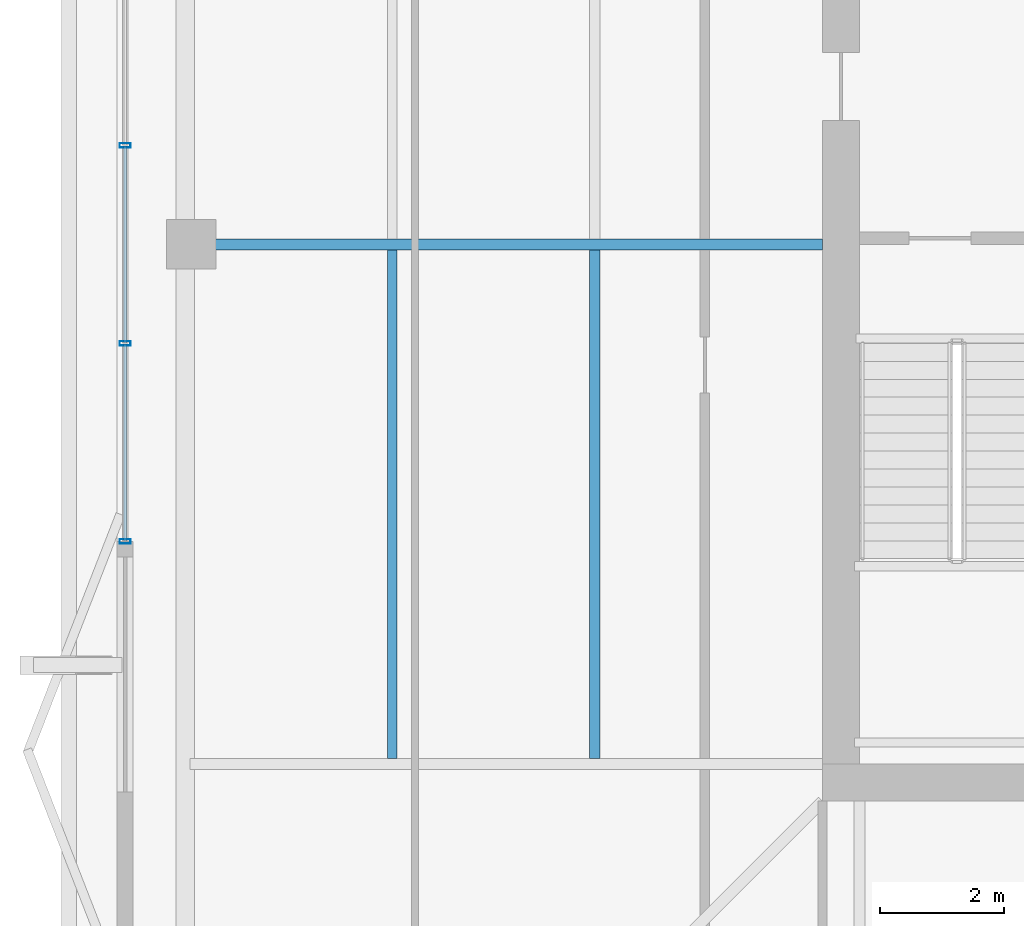
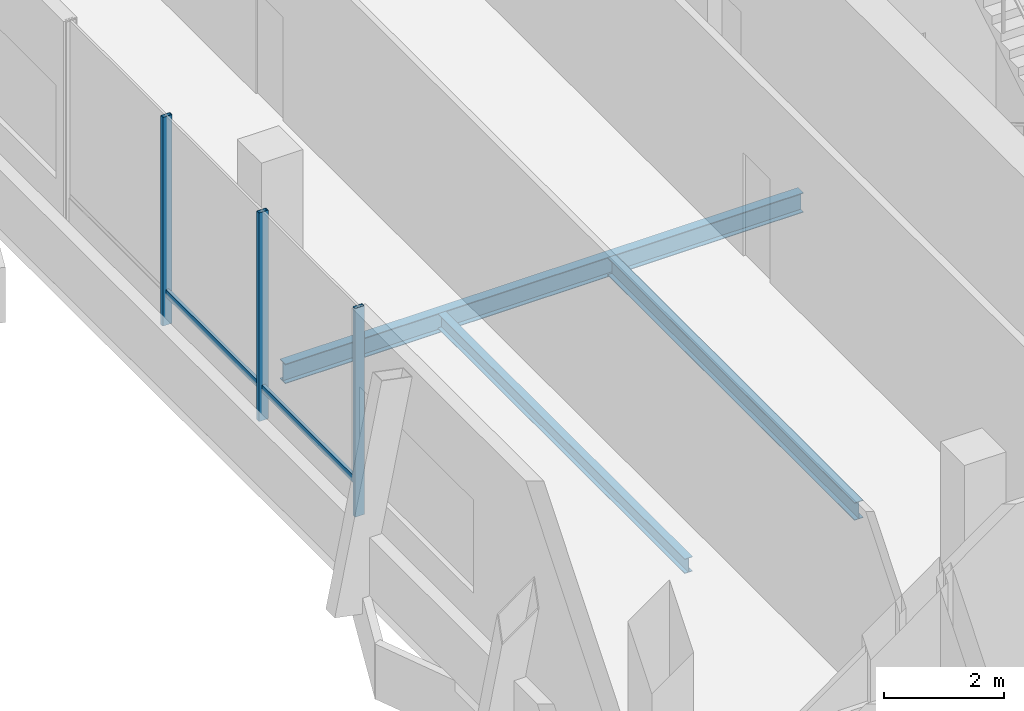
# One storey, part 4 of 17: 5 members, 3 beams, 1 element without a shape of its own.
"""IFC4 building model written with IfcOpenShell, lengths in metres."""

from ifc_helpers import new_model, si_unit, direction, frame, origin, origin_2d, place, context, subcontext, project, spatial, hollow_rectangle, i_section, extrude, material, layer, layer_set, material_profile, profile_set, type_object, element, aggregate, save


model = new_model("IFC4")

# Units and contexts
model_context = context("Model", 3, precision=1e-05, world=origin(), true_north=direction((0.0, 1.0)))
body_context = subcontext(model_context, "Body", "Model", "MODEL_VIEW")
ifc_project = project(units=[si_unit("LENGTHUNIT", "METRE"), si_unit("AREAUNIT", "SQUARE_METRE"), si_unit("VOLUMEUNIT", "CUBIC_METRE"), si_unit("PLANEANGLEUNIT", "RADIAN"), si_unit("MASSUNIT", "GRAM", prefix="KILO")], contexts=[model_context])

# Site, building, storey
site_placement = place(None, origin())
site = spatial("IfcSite", under=ifc_project, at=site_placement, CompositionType="ELEMENT")
building_placement = place(site_placement, origin())
building = spatial("IfcBuilding", under=site, at=building_placement, Name="Belovzor Exchange Tower", CompositionType="ELEMENT")
storey_placement = place(building_placement, frame((0.0, 0.0, 355.5)))
storey = spatial("IfcBuildingStorey", under=building, at=storey_placement, Name="L89", CompositionType="ELEMENT", Elevation=355.5)

# Beams
ifc_material_1 = material(Name="Steel S355", Category="steel")
ifc_material_profile_1 = material_profile(ifc_material_1, i_section(OverallWidth=0.169921875, OverallDepth=0.360107421875, WebThickness=0.008056640625, FlangeThickness=0.0126953125, at=origin_2d()))
ifc_profile_set_1 = profile_set([ifc_material_profile_1], Name="Steel S355")
beam_type_1 = type_object("IfcBeamType", Name="Secondary Infill Floor Joist IPE 360", PredefinedType="BEAM", material=ifc_profile_set_1)
beam_1_placement = place(storey_placement, frame((16.1201171875, 20.489990234375, -0.43994140625), z_axis=(0.0, 1.0, 0.0), x_axis=(-1.0, 0.0, 0.0)))
element("IfcBeam", 1, at=beam_1_placement, inside=storey, type_object=beam_type_1, Name="FJ-360 Secondary Infill Floor Joist IPE 360", PredefinedType="BEAM", context=body_context, shape_type="SweptSolid", body=[
    extrude(i_section(OverallWidth=0.169921875, OverallDepth=0.360107421875, WebThickness=0.008056640625, FlangeThickness=0.0126953125, at=origin_2d()), origin(), (0.0, 0.0, 1.0), 8.219970703125),
])
ifc_material_2 = material(Name="Steel S355", Category="steel")
ifc_material_profile_2 = material_profile(ifc_material_2, i_section(OverallWidth=0.14990234375, OverallDepth=0.300048828125, WebThickness=0.007080078125, FlangeThickness=0.0107421875, at=origin_2d()))
ifc_profile_set_2 = profile_set([ifc_material_profile_2], Name="Steel S355")
beam_type_2 = type_object("IfcBeamType", Name="Secondary Trim Floor Joist IPE 300", PredefinedType="BEAM", material=ifc_profile_set_2)
beam_2_placement = place(storey_placement, frame((12.847900390625, 20.489990234375, -0.409912109375), z_axis=(0.0, 1.0, 0.0), x_axis=(-1.0, 0.0, 0.0)))
element("IfcBeam", 2, at=beam_2_placement, inside=storey, type_object=beam_type_2, Name="FJ-300 Secondary Trim Floor Joist IPE 300", PredefinedType="BEAM", context=body_context, shape_type="SweptSolid", body=[
    extrude(i_section(OverallWidth=0.14990234375, OverallDepth=0.300048828125, WebThickness=0.007080078125, FlangeThickness=0.0107421875, at=origin_2d()), origin(), (0.0, 0.0, 1.0), 8.219970703125),
])

# Curtain wall, members
ifc_material_3 = material(Name="Anodised Aluminium Framing", Category="aluminium")
ifc_layer = layer(ifc_material_3, 0.169921875)
ifc_layer_set = layer_set([ifc_layer], Name="Anodised Aluminium Framing")
curtain_wall_type = type_object("IfcCurtainWallType", Name="Stepped Crown Faceted Lantern Curtain Wall", PredefinedType="NOTDEFINED", material=ifc_layer_set)
curtain_wall_placement = place(storey_placement, origin())
curtain_wall = element("IfcCurtainWall", 3, at=curtain_wall_placement, inside=storey, type_object=curtain_wall_type, Name="CW6 Stepped Crown Faceted Lantern Curtain Wall L89", PredefinedType="NOTDEFINED")
ifc_material_4 = material(Name="Steel S355", Category="steel")
ifc_material_profile_3 = material_profile(ifc_material_4, hollow_rectangle(XDim=0.074951171875, YDim=0.179931640625, WallThickness=0.0048828125, at=origin_2d()))
ifc_profile_set_3 = profile_set([ifc_material_profile_3], Name="Steel S355")
member_type_1 = type_object("IfcMemberType", Name="Thermally Broken Curtain Wall Mullion 180x75", PredefinedType="MULLION", material=ifc_profile_set_3)
member_1_placement = place(storey_placement, frame((8.530029296875, 24.0, 0.0), z_axis=(0.0, 0.0, 1.0), x_axis=(0.0, 1.0, 0.0)))
member_1 = element("IfcMember", 4, at=member_1_placement, type_object=member_type_1, Name="CW-M180 Curtain Wall Mullion 1", PredefinedType="MULLION", context=body_context, shape_type="SweptSolid", body=[
    extrude(hollow_rectangle(XDim=0.074951171875, YDim=0.179931640625, WallThickness=0.0048828125, at=origin_2d()), origin(), (0.0, 0.0, 1.0), 4.239990234375),
])
member_2_placement = place(storey_placement, frame((8.530029296875, 27.199951171875, 0.0), z_axis=(0.0, 0.0, 1.0), x_axis=(0.0, 1.0, 0.0)))
member_2 = element("IfcMember", 5, at=member_2_placement, type_object=member_type_1, Name="CW-M180 Curtain Wall Mullion 2", PredefinedType="MULLION", context=body_context, shape_type="SweptSolid", body=[
    extrude(hollow_rectangle(XDim=0.074951171875, YDim=0.179931640625, WallThickness=0.0048828125, at=origin_2d()), origin(), (0.0, 0.0, 1.0), 4.239990234375),
])
member_3_placement = place(storey_placement, frame((8.530029296875, 30.39990234375, 0.0), z_axis=(0.0, 0.0, 1.0), x_axis=(0.0, 1.0, 0.0)))
member_3 = element("IfcMember", 6, at=member_3_placement, type_object=member_type_1, Name="CW-M180 Curtain Wall Mullion 3", PredefinedType="MULLION", context=body_context, shape_type="SweptSolid", body=[
    extrude(hollow_rectangle(XDim=0.074951171875, YDim=0.179931640625, WallThickness=0.0048828125, at=origin_2d()), origin(), (0.0, 0.0, 1.0), 4.239990234375),
])
ifc_material_5 = material(Name="Steel S355", Category="steel")
ifc_material_profile_4 = material_profile(ifc_material_5, hollow_rectangle(XDim=0.06005859375, YDim=0.14990234375, WallThickness=0.00390625, at=origin_2d()))
ifc_profile_set_4 = profile_set([ifc_material_profile_4], Name="Steel S355")
member_type_2 = type_object("IfcMemberType", Name="Thermally Broken Curtain Wall Transom 150x60", PredefinedType="USERDEFINED", material=ifc_profile_set_4)
member_4_placement = place(storey_placement, frame((8.530029296875, 24.008056640625, 0.64990234375), z_axis=(0.0, 1.0, 0.0), x_axis=(-1.0, 0.0, 0.0)))
member_4 = element("IfcMember", 7, at=member_4_placement, type_object=member_type_2, Name="CW-T150 Curtain Wall Transom 1", ObjectType="TRANSOM", PredefinedType="USERDEFINED", context=body_context, shape_type="SweptSolid", body=[
    extrude(hollow_rectangle(XDim=0.06005859375, YDim=0.14990234375, WallThickness=0.00390625, at=origin_2d()), origin(), (0.0, 0.0, 1.0), 3.183837890625),
])
member_5_placement = place(storey_placement, frame((8.530029296875, 27.2080078125, 0.64990234375), z_axis=(0.0, 1.0, 0.0), x_axis=(-1.0, 0.0, 0.0)))
member_5 = element("IfcMember", 8, at=member_5_placement, type_object=member_type_2, Name="CW-T150 Curtain Wall Transom 2", ObjectType="TRANSOM", PredefinedType="USERDEFINED", context=body_context, shape_type="SweptSolid", body=[
    extrude(hollow_rectangle(XDim=0.06005859375, YDim=0.14990234375, WallThickness=0.00390625, at=origin_2d()), origin(), (0.0, 0.0, 1.0), 3.18408203125),
])
aggregate(curtain_wall, [member_1, member_2, member_3, member_4, member_5])

# Beam
ifc_material_6 = material(Name="Steel S355", Category="steel")
ifc_material_profile_5 = material_profile(ifc_material_6, i_section(OverallWidth=0.179931640625, OverallDepth=0.39990234375, WebThickness=0.008544921875, FlangeThickness=0.013427734375, at=origin_2d()))
ifc_profile_set_5 = profile_set([ifc_material_profile_5], Name="Steel S355")
beam_type_3 = type_object("IfcBeamType", Name="Zone 5-6 Radial Composite Floor Beam IPE 400", PredefinedType="BEAM", material=ifc_profile_set_5)
beam_3_placement = place(storey_placement, frame((19.800048828125, 28.800048828125, -0.4599609375), z_axis=(-1.0, 0.0, 0.0), x_axis=(0.0, -1.0, 0.0)))
element("IfcBeam", 9, at=beam_3_placement, inside=storey, type_object=beam_type_3, Name="FB-400 Zone 5-6 Radial Composite Floor Beam IPE 400", PredefinedType="BEAM", context=body_context, shape_type="SweptSolid", body=[
    extrude(i_section(OverallWidth=0.179931640625, OverallDepth=0.39990234375, WebThickness=0.008544921875, FlangeThickness=0.013427734375, at=origin_2d()), origin(), (0.0, 0.0, 1.0), 9.9580078125),
])

save(model, "model.ifc")
